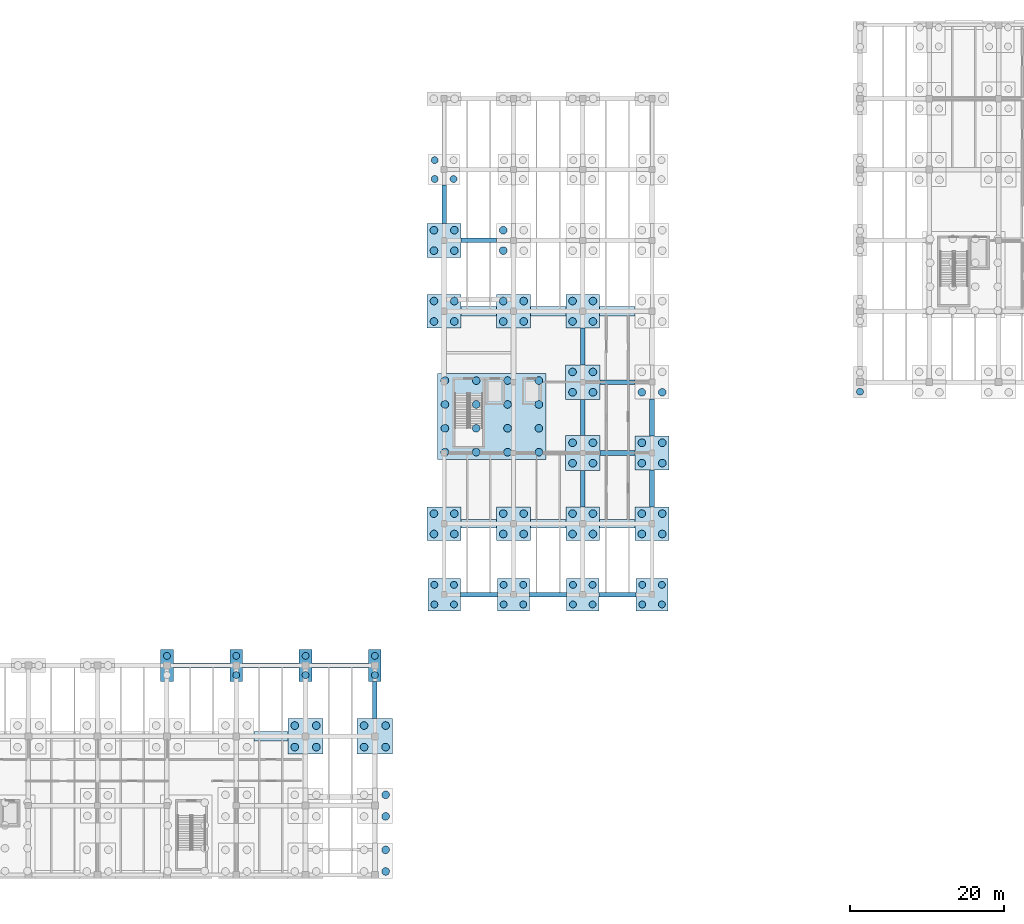
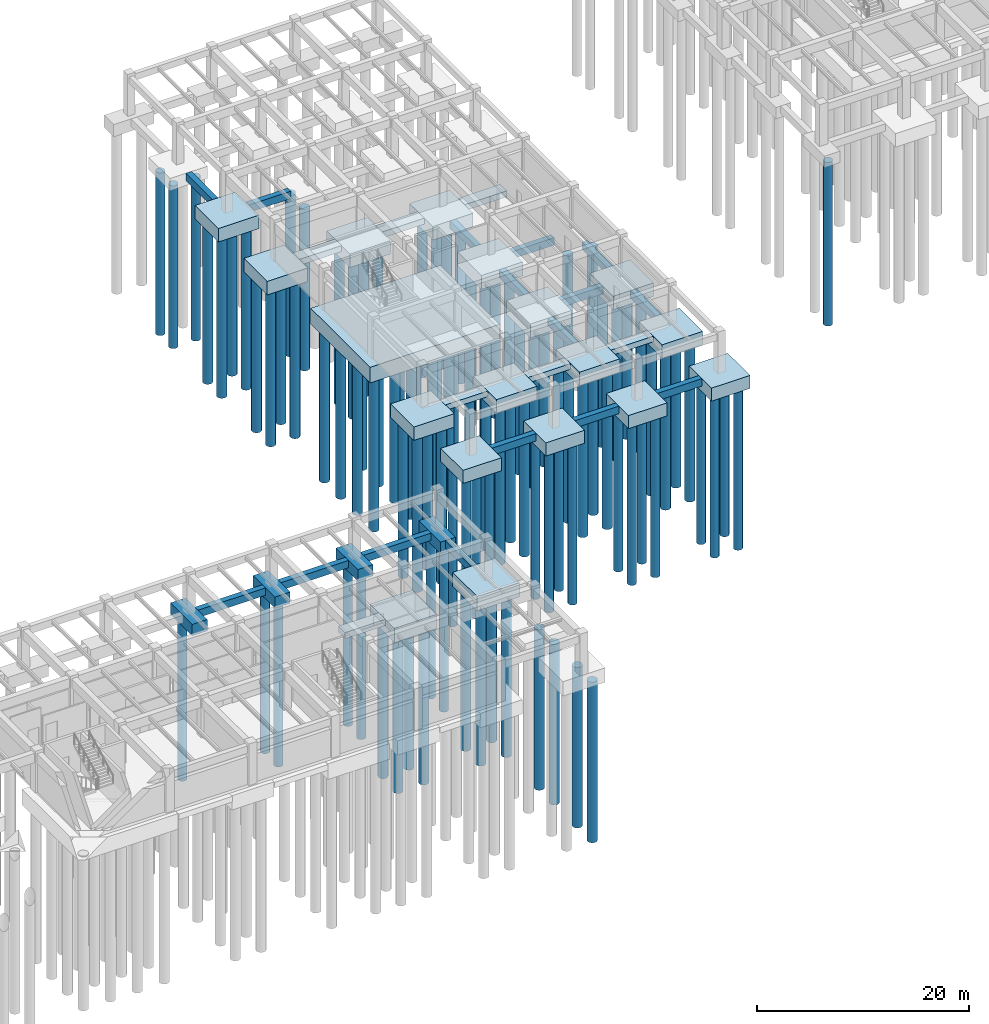
# One storey, part 2 of 16: 103 piles, 45 footings.
"""IFC4 building model written with IfcOpenShell, lengths in metres."""

from ifc_helpers import new_model, si_unit, direction, frame, origin, origin_2d, place, context, subcontext, project, spatial, rectangle, circle, extrude, material, material_profile, profile_set, type_object, element, save


model = new_model("IFC4")

# Units and contexts
model_context = context("Model", 3, precision=1e-05, world=origin(), true_north=direction((0.0, 1.0)))
body_context = subcontext(model_context, "Body", "Model", "MODEL_VIEW")
ifc_project = project(units=[si_unit("LENGTHUNIT", "METRE"), si_unit("AREAUNIT", "SQUARE_METRE"), si_unit("VOLUMEUNIT", "CUBIC_METRE"), si_unit("PLANEANGLEUNIT", "RADIAN"), si_unit("MASSUNIT", "GRAM", prefix="KILO")], contexts=[model_context])

# Site, building, storey
site_placement = place(None, origin())
site = spatial("IfcSite", under=ifc_project, at=site_placement, CompositionType="ELEMENT")
building_placement = place(site_placement, origin())
building = spatial("IfcBuilding", under=site, at=building_placement, Name="Bozkorgan Art Gallery", CompositionType="ELEMENT")
storey_placement = place(building_placement, frame((0.0, 0.0, -4.800048828125)))
storey = spatial("IfcBuildingStorey", under=building, at=storey_placement, Name="B1", CompositionType="ELEMENT", Elevation=-4.800048828125)

# Footings
ifc_material = material(Name="Concrete C30/37", Category="concrete")
ifc_material_profile_1 = material_profile(ifc_material, rectangle(XDim=0.60009765625, YDim=0.85009765625, at=origin_2d()), Name="FND 600x850")
ifc_profile_set_1 = profile_set([ifc_material_profile_1], Name="Concrete C30/37")
footing_type_1 = type_object("IfcFootingType", Name="FOOTING-FB-70", PredefinedType="FOOTING_BEAM", material=ifc_profile_set_1)
for number, where, z_axis, x_axis, name in (
    (1, (38.824951171875, 29.199951171875, -0.425048828125), (1.0, 0.0, 0.0), (0.0, 1.0, 0.0), "V1 foundation tie beam X (38-47, 29.2)"),
    (2, (47.824951171875, 29.199951171875, -0.425048828125), (1.0, 0.0, 0.0), (0.0, 1.0, 0.0), "V1 foundation tie beam X (47-56, 29.2)"),
    (3, (56.824951171875, 29.199951171875, -0.425048828125), (1.0, 0.0, 0.0), (0.0, 1.0, 0.0), "V1 foundation tie beam X (56-65, 29.2)"),
):
    element("IfcFooting", number, at=place(storey_placement, frame(where, z_axis=z_axis, x_axis=x_axis)), inside=storey, type_object=footing_type_1, Name=name, PredefinedType="FOOTING_BEAM", context=body_context, shape_type="SweptSolid", body=[
        extrude(rectangle(XDim=0.60009765625, YDim=0.85009765625, at=origin_2d()), origin(), (0.0, 0.0, 1.0), 7.35009765625),
    ])
footing_1_placement = place(storey_placement, frame((65.0, 22.300048828125, -0.425048828125), z_axis=(0.0, 1.0, 0.0), x_axis=(-1.0, 0.0, 0.0)))
element("IfcFooting", 4, at=footing_1_placement, inside=storey, type_object=footing_type_1, Name="V1 foundation tie beam Y (65, 20.0-29.2)", PredefinedType="FOOTING_BEAM", context=body_context, shape_type="SweptSolid", body=[
    extrude(rectangle(XDim=0.60009765625, YDim=0.85009765625, at=origin_2d()), origin(), (0.0, 0.0, 1.0), 4.849853515625),
])
for number, where, z_axis, x_axis, name in (
    (5, (76.10009765625, 38.39990234375, -0.425048828125), (1.0, 0.0, 0.0), (0.0, 1.0, 0.0), "V4 foundation tie beam X (74-83, 38.4)"),
    (6, (85.10009765625, 38.39990234375, -0.425048828125), (1.0, 0.0, 0.0), (0.0, 1.0, 0.0), "V4 foundation tie beam X (83-92, 38.4)"),
    (7, (94.10009765625, 38.39990234375, -0.425048828125), (1.0, 0.0, 0.0), (0.0, 1.0, 0.0), "V4 foundation tie beam X (92-101, 38.4)"),
):
    element("IfcFooting", number, at=place(storey_placement, frame(where, z_axis=z_axis, x_axis=x_axis)), inside=storey, type_object=footing_type_1, Name=name, PredefinedType="FOOTING_BEAM", context=body_context, shape_type="SweptSolid", body=[
        extrude(rectangle(XDim=0.60009765625, YDim=0.85009765625, at=origin_2d()), origin(), (0.0, 0.0, 1.0), 4.7998046875),
    ])
for number, where, z_axis, x_axis, name in (
    (8, (94.25, 56.800048828125, -0.925048828125), (1.0, 0.0, 0.0), (0.0, 1.0, 0.0), "V4 foundation tie beam X (92-101, 56.8)"),
    (9, (94.25, 66.0, -0.925048828125), (1.0, 0.0, 0.0), (0.0, 1.0, 0.0), "V4 foundation tie beam X (92-101, 66.0)"),
):
    element("IfcFooting", number, at=place(storey_placement, frame(where, z_axis=z_axis, x_axis=x_axis)), inside=storey, type_object=footing_type_1, Name=name, PredefinedType="FOOTING_BEAM", context=body_context, shape_type="SweptSolid", body=[
        extrude(rectangle(XDim=0.60009765625, YDim=0.85009765625, at=origin_2d()), origin(), (0.0, 0.0, 1.0), 4.550048828125),
    ])
footing_2_placement = place(storey_placement, frame((76.199951171875, 84.39990234375, -0.425048828125), z_axis=(1.0, 0.0, 0.0), x_axis=(0.0, 1.0, 0.0)))
element("IfcFooting", 10, at=footing_2_placement, inside=storey, type_object=footing_type_1, Name="V4 foundation tie beam X (74-83, 84.4)", PredefinedType="FOOTING_BEAM", context=body_context, shape_type="SweptSolid", body=[
    extrude(rectangle(XDim=0.60009765625, YDim=0.85009765625, at=origin_2d()), origin(), (0.0, 0.0, 1.0), 4.60009765625),
])
footing_3_placement = place(storey_placement, frame((74.0, 86.60009765625, -0.425048828125), z_axis=(0.0, 1.0, 0.0), x_axis=(-1.0, 0.0, 0.0)))
element("IfcFooting", 11, at=footing_3_placement, inside=storey, type_object=footing_type_1, Name="V4 foundation tie beam Y (74, 84.4-93.6)", PredefinedType="FOOTING_BEAM", context=body_context, shape_type="SweptSolid", body=[
    extrude(rectangle(XDim=0.60009765625, YDim=0.85009765625, at=origin_2d()), origin(), (0.0, 0.0, 1.0), 4.974853515625),
])
footing_4_placement = place(storey_placement, frame((92.0, 49.800048828125, -0.925048828125), z_axis=(0.0, 1.0, 0.0), x_axis=(-1.0, 0.0, 0.0)))
element("IfcFooting", 12, at=footing_4_placement, inside=storey, type_object=footing_type_1, Name="V4 foundation tie beam Y (92, 47.6-56.8)", PredefinedType="FOOTING_BEAM", context=body_context, shape_type="SweptSolid", body=[
    extrude(rectangle(XDim=0.60009765625, YDim=0.85009765625, at=origin_2d()), origin(), (0.0, 0.0, 1.0), 4.75),
])
footing_5_placement = place(storey_placement, frame((92.0, 59.050048828125, -0.925048828125), z_axis=(0.0, 1.0, 0.0), x_axis=(-1.0, 0.0, 0.0)))
element("IfcFooting", 13, at=footing_5_placement, inside=storey, type_object=footing_type_1, Name="V4 foundation tie beam Y (92, 56.8-66.0)", PredefinedType="FOOTING_BEAM", context=body_context, shape_type="SweptSolid", body=[
    extrude(rectangle(XDim=0.60009765625, YDim=0.85009765625, at=origin_2d()), origin(), (0.0, 0.0, 1.0), 4.699951171875),
])
footing_6_placement = place(storey_placement, frame((92.0, 68.25, -0.925048828125), z_axis=(0.0, 1.0, 0.0), x_axis=(-1.0, 0.0, 0.0)))
element("IfcFooting", 14, at=footing_6_placement, inside=storey, type_object=footing_type_1, Name="V4 foundation tie beam Y (92, 66.0-75.2)", PredefinedType="FOOTING_BEAM", context=body_context, shape_type="SweptSolid", body=[
    extrude(rectangle(XDim=0.60009765625, YDim=0.85009765625, at=origin_2d()), origin(), (0.0, 0.0, 1.0), 4.75),
])
for number, where, z_axis, x_axis, name in (
    (15, (101.0, 49.800048828125, -0.925048828125), (0.0, 1.0, 0.0), (-1.0, 0.0, 0.0), "V4 foundation tie beam Y (101, 47.6-56.8)"),
    (16, (101.0, 59.0, -0.925048828125), (0.0, 1.0, 0.0), (-1.0, 0.0, 0.0), "V4 foundation tie beam Y (101, 56.8-66.0)"),
):
    element("IfcFooting", number, at=place(storey_placement, frame(where, z_axis=z_axis, x_axis=x_axis)), inside=storey, type_object=footing_type_1, Name=name, PredefinedType="FOOTING_BEAM", context=body_context, shape_type="SweptSolid", body=[
        extrude(rectangle(XDim=0.60009765625, YDim=0.85009765625, at=origin_2d()), origin(), (0.0, 0.0, 1.0), 4.800048828125),
    ])
footing_type_2 = type_object("IfcFootingType", Name="FOOTING-PC-17", PredefinedType="PILE_CAP", material=ifc_material)
for number, where, z_axis, x_axis, name in (
    (17, (74.0, 38.39990234375, -1.5), (0.0, 0.0, 1.0), (1.0, 0.0, 0.0), "V4 pile cap (74.0, 38.4)"),
    (18, (83.0, 38.39990234375, -1.5), (0.0, 0.0, 1.0), (1.0, 0.0, 0.0), "V4 pile cap (83.0, 38.4)"),
    (19, (92.0, 38.39990234375, -1.5), (0.0, 0.0, 1.0), (1.0, 0.0, 0.0), "V4 pile cap (92.0, 38.4)"),
    (20, (101.0, 38.39990234375, -1.5), (0.0, 0.0, 1.0), (1.0, 0.0, 0.0), "V4 pile cap (101.0, 38.4)"),
):
    element("IfcFooting", number, at=place(storey_placement, frame(where, z_axis=z_axis, x_axis=x_axis)), inside=storey, type_object=footing_type_2, Name=name, PredefinedType="PILE_CAP", context=body_context, shape_type="SweptSolid", body=[
        extrude(rectangle(XDim=4.199951171875, YDim=4.199951171875, at=origin_2d()), origin(), (0.0, 0.0, 1.0), 1.5),
    ])
footing_type_3 = type_object("IfcFootingType", Name="FOOTING-PC-35", PredefinedType="PILE_CAP", material=ifc_material)
for number, where, z_axis, x_axis, name in (
    (21, (38.0, 29.199951171875, -1.2998046875), (0.0, 0.0, 1.0), (1.0, 0.0, 0.0), "V1 pile cap (38.0, 29.2)"),
    (22, (47.0, 29.199951171875, -1.2998046875), (0.0, 0.0, 1.0), (1.0, 0.0, 0.0), "V1 pile cap (47.0, 29.2)"),
    (23, (56.0, 29.199951171875, -1.2998046875), (0.0, 0.0, 1.0), (1.0, 0.0, 0.0), "V1 pile cap (56.0, 29.2)"),
    (24, (65.0, 29.199951171875, -1.2998046875), (0.0, 0.0, 1.0), (1.0, 0.0, 0.0), "V1 pile cap (65.0, 29.2)"),
):
    element("IfcFooting", number, at=place(storey_placement, frame(where, z_axis=z_axis, x_axis=x_axis)), inside=storey, type_object=footing_type_3, Name=name, PredefinedType="PILE_CAP", context=body_context, shape_type="SweptSolid", body=[
        extrude(rectangle(XDim=1.64990234375, YDim=4.10009765625, at=origin_2d()), origin(), (0.0, 0.0, 1.0), 1.300048828125),
    ])
footing_type_4 = type_object("IfcFootingType", Name="FOOTING-PC-54", PredefinedType="PILE_CAP", material=ifc_material)
for number, where, z_axis, x_axis, name in (
    (25, (92.0, 56.800048828125, -2.10009765625), (0.0, 0.0, 1.0), (1.0, 0.0, 0.0), "V4 pile cap (92.0, 56.8)"),
    (26, (92.0, 66.0, -2.10009765625), (0.0, 0.0, 1.0), (1.0, 0.0, 0.0), "V4 pile cap (92.0, 66.0)"),
):
    element("IfcFooting", number, at=place(storey_placement, frame(where, z_axis=z_axis, x_axis=x_axis)), inside=storey, type_object=footing_type_4, Name=name, PredefinedType="PILE_CAP", context=body_context, shape_type="SweptSolid", body=[
        extrude(rectangle(XDim=4.5, YDim=4.5, at=origin_2d()), origin(), (0.0, 0.0, 1.0), 1.60009765625),
    ])
footing_type_5 = type_object("IfcFootingType", Name="FOOTING-PC-76", PredefinedType="PILE_CAP", material=ifc_material)
for number, where, z_axis, x_axis, name in (
    (27, (74.0, 47.60009765625, -2.0498046875), (0.0, 0.0, 1.0), (1.0, 0.0, 0.0), "V4 pile cap (74.0, 47.6)"),
    (28, (74.0, 75.199951171875, -2.0498046875), (0.0, 0.0, 1.0), (1.0, 0.0, 0.0), "V4 pile cap (74.0, 75.2)"),
    (29, (74.0, 84.39990234375, -1.5498046875), (0.0, 0.0, 1.0), (1.0, 0.0, 0.0), "V4 pile cap (74.0, 84.4)"),
    (30, (83.0, 47.60009765625, -2.0498046875), (0.0, 0.0, 1.0), (1.0, 0.0, 0.0), "V4 pile cap (83.0, 47.6)"),
    (31, (83.0, 75.199951171875, -2.0498046875), (0.0, 0.0, 1.0), (1.0, 0.0, 0.0), "V4 pile cap (83.0, 75.2)"),
    (32, (92.0, 47.60009765625, -2.0498046875), (0.0, 0.0, 1.0), (1.0, 0.0, 0.0), "V4 pile cap (92.0, 47.6)"),
    (33, (92.0, 75.199951171875, -2.0498046875), (0.0, 0.0, 1.0), (1.0, 0.0, 0.0), "V4 pile cap (92.0, 75.2)"),
    (34, (101.0, 47.60009765625, -2.0498046875), (0.0, 0.0, 1.0), (1.0, 0.0, 0.0), "V4 pile cap (101.0, 47.6)"),
    (35, (101.0, 56.800048828125, -2.0498046875), (0.0, 0.0, 1.0), (1.0, 0.0, 0.0), "V4 pile cap (101.0, 56.8)"),
):
    element("IfcFooting", number, at=place(storey_placement, frame(where, z_axis=z_axis, x_axis=x_axis)), inside=storey, type_object=footing_type_5, Name=name, PredefinedType="PILE_CAP", context=body_context, shape_type="SweptSolid", body=[
        extrude(rectangle(XDim=4.39990234375, YDim=4.39990234375, at=origin_2d()), origin(), (0.0, 0.0, 1.0), 1.550048828125),
    ])
footing_type_6 = type_object("IfcFootingType", Name="FOOTING-PC-78", PredefinedType="PILE_CAP", material=ifc_material)
footing_7_placement = place(storey_placement, frame((80.199951171875, 61.550048828125, -2.2998046875), z_axis=(0.0, 0.0, 1.0), x_axis=(1.0, 0.0, 0.0)))
element("IfcFooting", 36, at=footing_7_placement, inside=storey, type_object=footing_type_6, Name="CORE2 combined core pile cap", PredefinedType="PILE_CAP", context=body_context, shape_type="SweptSolid", body=[
    extrude(rectangle(XDim=14.10009765625, YDim=11.199951171875, at=origin_2d()), origin(), (0.0, 0.0, 1.0), 1.800048828125),
])
footing_type_7 = type_object("IfcFootingType", Name="FOOTING-PC-85", PredefinedType="PILE_CAP", material=ifc_material)
for number, where, z_axis, x_axis, name in (
    (37, (56.0, 20.0, -2.14990234375), (0.0, 0.0, 1.0), (1.0, 0.0, 0.0), "V1 pile cap (56.0, 20.0)"),
    (38, (65.0, 20.0, -1.64990234375), (0.0, 0.0, 1.0), (1.0, 0.0, 0.0), "V1 pile cap (65.0, 20.0)"),
):
    element("IfcFooting", number, at=place(storey_placement, frame(where, z_axis=z_axis, x_axis=x_axis)), inside=storey, type_object=footing_type_7, Name=name, PredefinedType="PILE_CAP", context=body_context, shape_type="SweptSolid", body=[
        extrude(rectangle(XDim=4.60009765625, YDim=4.60009765625, at=origin_2d()), origin(), (0.0, 0.0, 1.0), 1.64990234375),
    ])
ifc_material_profile_2 = material_profile(ifc_material, rectangle(XDim=1.25, YDim=0.699951171875, at=origin_2d()), Name="FND 1250x700")
ifc_profile_set_2 = profile_set([ifc_material_profile_2], Name="Concrete C30/37")
footing_type_8 = type_object("IfcFootingType", Name="FOOTING-SF-14", PredefinedType="STRIP_FOOTING", material=ifc_profile_set_2)
footing_8_placement = place(storey_placement, frame((49.300048828125, 20.0, -0.824951171875), z_axis=(1.0, 0.0, 0.0), x_axis=(0.0, 1.0, 0.0)))
element("IfcFooting", 39, at=footing_8_placement, inside=storey, type_object=footing_type_8, Name="V1 B1 retaining wall strip footing 8", PredefinedType="STRIP_FOOTING", context=body_context, shape_type="SweptSolid", body=[
    extrude(rectangle(XDim=1.25, YDim=0.699951171875, at=origin_2d()), origin(), (0.0, 0.0, 1.0), 4.39990234375),
])
for number, where, z_axis, x_axis, name in (
    (40, (76.199951171875, 75.199951171875, -0.824951171875), (1.0, 0.0, 0.0), (0.0, 1.0, 0.0), "V4 B1 retaining wall strip footing 12"),
    (41, (85.199951171875, 75.199951171875, -0.824951171875), (1.0, 0.0, 0.0), (0.0, 1.0, 0.0), "V4 B1 retaining wall strip footing 13"),
    (42, (94.199951171875, 75.199951171875, -0.824951171875), (1.0, 0.0, 0.0), (0.0, 1.0, 0.0), "V4 B1 retaining wall strip footing 14"),
):
    element("IfcFooting", number, at=place(storey_placement, frame(where, z_axis=z_axis, x_axis=x_axis)), inside=storey, type_object=footing_type_8, Name=name, PredefinedType="STRIP_FOOTING", context=body_context, shape_type="SweptSolid", body=[
        extrude(rectangle(XDim=1.25, YDim=0.699951171875, at=origin_2d()), origin(), (0.0, 0.0, 1.0), 4.60009765625),
    ])
ifc_material_profile_3 = material_profile(ifc_material, rectangle(XDim=1.10009765625, YDim=0.64990234375, at=origin_2d()), Name="FND 1100x650")
ifc_profile_set_3 = profile_set([ifc_material_profile_3], Name="Concrete C30/37")
footing_type_9 = type_object("IfcFootingType", Name="FOOTING-SF-92", PredefinedType="STRIP_FOOTING", material=ifc_profile_set_3)
for number, where, z_axis, x_axis, name in (
    (43, (76.199951171875, 47.60009765625, -0.824951171875), (1.0, 0.0, 0.0), (0.0, 1.0, 0.0), "V4 B1 retaining wall strip footing 9"),
    (44, (85.199951171875, 47.60009765625, -0.824951171875), (1.0, 0.0, 0.0), (0.0, 1.0, 0.0), "V4 B1 retaining wall strip footing 10"),
    (45, (94.199951171875, 47.60009765625, -0.824951171875), (1.0, 0.0, 0.0), (0.0, 1.0, 0.0), "V4 B1 retaining wall strip footing 11"),
):
    element("IfcFooting", number, at=place(storey_placement, frame(where, z_axis=z_axis, x_axis=x_axis)), inside=storey, type_object=footing_type_9, Name=name, PredefinedType="STRIP_FOOTING", context=body_context, shape_type="SweptSolid", body=[
        extrude(rectangle(XDim=1.10009765625, YDim=0.64990234375, at=origin_2d()), origin(), (0.0, 0.0, 1.0), 4.60009765625),
    ])

# Piles
ifc_material_profile_4 = material_profile(ifc_material, circle(Radius=0.5, at=origin_2d()), Name="PILE D1000")
ifc_profile_set_4 = profile_set([ifc_material_profile_4], Name="Concrete C30/37")
pile_type_1 = type_object("IfcPileType", Name="PILE-P-36", PredefinedType="BORED", material=ifc_profile_set_4)
for number, where, z_axis, x_axis, name in (
    (46, (74.10009765625, 56.89990234375, -2.199951171875), (0.0, 0.0, -1.0), (1.0, 0.0, 0.0), "CORE2 bored pile 1"),
    (47, (74.10009765625, 60.0, -2.199951171875), (0.0, 0.0, -1.0), (1.0, 0.0, 0.0), "CORE2 bored pile 2"),
    (48, (74.10009765625, 63.10009765625, -2.199951171875), (0.0, 0.0, -1.0), (1.0, 0.0, 0.0), "CORE2 bored pile 3"),
    (49, (74.10009765625, 66.199951171875, -2.199951171875), (0.0, 0.0, -1.0), (1.0, 0.0, 0.0), "CORE2 bored pile 4"),
    (50, (78.166748046875, 56.89990234375, -2.199951171875), (0.0, 0.0, -1.0), (1.0, 0.0, 0.0), "CORE2 bored pile 5"),
    (51, (78.166748046875, 60.0, -2.199951171875), (0.0, 0.0, -1.0), (1.0, 0.0, 0.0), "CORE2 bored pile 6"),
    (52, (78.166748046875, 63.10009765625, -2.199951171875), (0.0, 0.0, -1.0), (1.0, 0.0, 0.0), "CORE2 bored pile 7"),
    (53, (78.166748046875, 66.199951171875, -2.199951171875), (0.0, 0.0, -1.0), (1.0, 0.0, 0.0), "CORE2 bored pile 8"),
    (54, (82.2333984375, 56.89990234375, -2.199951171875), (0.0, 0.0, -1.0), (1.0, 0.0, 0.0), "CORE2 bored pile 9"),
    (55, (82.2333984375, 60.0, -2.199951171875), (0.0, 0.0, -1.0), (1.0, 0.0, 0.0), "CORE2 bored pile 10"),
    (56, (82.2333984375, 63.10009765625, -2.199951171875), (0.0, 0.0, -1.0), (1.0, 0.0, 0.0), "CORE2 bored pile 11"),
    (57, (82.2333984375, 66.199951171875, -2.199951171875), (0.0, 0.0, -1.0), (1.0, 0.0, 0.0), "CORE2 bored pile 12"),
    (58, (86.300048828125, 56.89990234375, -2.199951171875), (0.0, 0.0, -1.0), (1.0, 0.0, 0.0), "CORE2 bored pile 13"),
    (59, (86.300048828125, 60.0, -2.199951171875), (0.0, 0.0, -1.0), (1.0, 0.0, 0.0), "CORE2 bored pile 14"),
    (60, (86.300048828125, 63.10009765625, -2.199951171875), (0.0, 0.0, -1.0), (1.0, 0.0, 0.0), "CORE2 bored pile 15"),
    (61, (86.300048828125, 66.199951171875, -2.199951171875), (0.0, 0.0, -1.0), (1.0, 0.0, 0.0), "CORE2 bored pile 16"),
):
    element("IfcPile", number, at=place(storey_placement, frame(where, z_axis=z_axis, x_axis=x_axis)), inside=storey, type_object=pile_type_1, Name=name, PredefinedType="BORED", context=body_context, shape_type="SweptSolid", body=[
        extrude(circle(Radius=0.5, at=origin_2d()), origin(), (0.0, 0.0, 1.0), 17.800048828125),
    ])
for number, where, z_axis, x_axis, name in (
    (62, (54.60009765625, 18.60009765625, -2.050048828125), (0.0, 0.0, -1.0), (1.0, 0.0, 0.0), "V1 pile (56.0, 20.0) #1"),
    (63, (57.39990234375, 18.60009765625, -2.050048828125), (0.0, 0.0, -1.0), (1.0, 0.0, 0.0), "V1 pile (56.0, 20.0) #2"),
    (64, (54.60009765625, 21.39990234375, -2.050048828125), (0.0, 0.0, -1.0), (1.0, 0.0, 0.0), "V1 pile (56.0, 20.0) #3"),
    (65, (57.39990234375, 21.39990234375, -2.050048828125), (0.0, 0.0, -1.0), (1.0, 0.0, 0.0), "V1 pile (56.0, 20.0) #4"),
):
    element("IfcPile", number, at=place(storey_placement, frame(where, z_axis=z_axis, x_axis=x_axis)), inside=storey, type_object=pile_type_1, Name=name, PredefinedType="BORED", context=body_context, shape_type="SweptSolid", body=[
        extrude(circle(Radius=0.5, at=origin_2d()), origin(), (0.0, 0.0, 1.0), 17.949951171875),
    ])
for number, where, z_axis, x_axis, name in (
    (66, (66.39990234375, 2.449951171875, -1.550048828125), (0.0, 0.0, -1.0), (1.0, 0.0, 0.0), "V1 pile (65.0, 2.0) #2"),
    (67, (66.39990234375, 5.25, -1.550048828125), (0.0, 0.0, -1.0), (1.0, 0.0, 0.0), "V1 pile (65.0, 2.0) #4"),
    (68, (66.39990234375, 9.60009765625, -1.550048828125), (0.0, 0.0, -1.0), (1.0, 0.0, 0.0), "V1 pile (65.0, 11.0) #2"),
    (69, (66.39990234375, 12.39990234375, -1.550048828125), (0.0, 0.0, -1.0), (1.0, 0.0, 0.0), "V1 pile (65.0, 11.0) #4"),
    (70, (63.60009765625, 18.60009765625, -1.550048828125), (0.0, 0.0, -1.0), (1.0, 0.0, 0.0), "V1 pile (65.0, 20.0) #1"),
    (71, (66.39990234375, 18.60009765625, -1.550048828125), (0.0, 0.0, -1.0), (1.0, 0.0, 0.0), "V1 pile (65.0, 20.0) #2"),
    (72, (63.60009765625, 21.39990234375, -1.550048828125), (0.0, 0.0, -1.0), (1.0, 0.0, 0.0), "V1 pile (65.0, 20.0) #3"),
    (73, (66.39990234375, 21.39990234375, -1.550048828125), (0.0, 0.0, -1.0), (1.0, 0.0, 0.0), "V1 pile (65.0, 20.0) #4"),
):
    element("IfcPile", number, at=place(storey_placement, frame(where, z_axis=z_axis, x_axis=x_axis)), inside=storey, type_object=pile_type_1, Name=name, PredefinedType="BORED", context=body_context, shape_type="SweptSolid", body=[
        extrude(circle(Radius=0.5, at=origin_2d()), origin(), (0.0, 0.0, 1.0), 18.449951171875),
    ])
for number, where, z_axis, x_axis, name in (
    (74, (72.675048828125, 46.27490234375, -1.949951171875), (0.0, 0.0, -1.0), (1.0, 0.0, 0.0), "V4 pile (74.0, 47.6) #1"),
    (75, (75.324951171875, 46.27490234375, -1.949951171875), (0.0, 0.0, -1.0), (1.0, 0.0, 0.0), "V4 pile (74.0, 47.6) #2"),
    (76, (72.675048828125, 48.925048828125, -1.949951171875), (0.0, 0.0, -1.0), (1.0, 0.0, 0.0), "V4 pile (74.0, 47.6) #3"),
    (77, (75.324951171875, 48.925048828125, -1.949951171875), (0.0, 0.0, -1.0), (1.0, 0.0, 0.0), "V4 pile (74.0, 47.6) #4"),
    (78, (72.675048828125, 73.875, -1.949951171875), (0.0, 0.0, -1.0), (1.0, 0.0, 0.0), "V4 pile (74.0, 75.2) #1"),
    (79, (75.324951171875, 73.875, -1.949951171875), (0.0, 0.0, -1.0), (1.0, 0.0, 0.0), "V4 pile (74.0, 75.2) #2"),
    (80, (72.675048828125, 76.52490234375, -1.949951171875), (0.0, 0.0, -1.0), (1.0, 0.0, 0.0), "V4 pile (74.0, 75.2) #3"),
    (81, (75.324951171875, 76.52490234375, -1.949951171875), (0.0, 0.0, -1.0), (1.0, 0.0, 0.0), "V4 pile (74.0, 75.2) #4"),
):
    element("IfcPile", number, at=place(storey_placement, frame(where, z_axis=z_axis, x_axis=x_axis)), inside=storey, type_object=pile_type_1, Name=name, PredefinedType="BORED", context=body_context, shape_type="SweptSolid", body=[
        extrude(circle(Radius=0.5, at=origin_2d()), origin(), (0.0, 0.0, 1.0), 18.050048828125),
    ])
for number, where, z_axis, x_axis, name in (
    (82, (72.675048828125, 83.074951171875, -1.449951171875), (0.0, 0.0, -1.0), (1.0, 0.0, 0.0), "V4 pile (74.0, 84.4) #1"),
    (83, (75.324951171875, 83.074951171875, -1.449951171875), (0.0, 0.0, -1.0), (1.0, 0.0, 0.0), "V4 pile (74.0, 84.4) #2"),
    (84, (72.675048828125, 85.72509765625, -1.449951171875), (0.0, 0.0, -1.0), (1.0, 0.0, 0.0), "V4 pile (74.0, 84.4) #3"),
    (85, (75.324951171875, 85.72509765625, -1.449951171875), (0.0, 0.0, -1.0), (1.0, 0.0, 0.0), "V4 pile (74.0, 84.4) #4"),
):
    element("IfcPile", number, at=place(storey_placement, frame(where, z_axis=z_axis, x_axis=x_axis)), inside=storey, type_object=pile_type_1, Name=name, PredefinedType="BORED", context=body_context, shape_type="SweptSolid", body=[
        extrude(circle(Radius=0.5, at=origin_2d()), origin(), (0.0, 0.0, 1.0), 18.550048828125),
    ])
for number, where, z_axis, x_axis, name in (
    (86, (81.675048828125, 46.27490234375, -1.949951171875), (0.0, 0.0, -1.0), (1.0, 0.0, 0.0), "V4 pile (83.0, 47.6) #1"),
    (87, (84.324951171875, 46.27490234375, -1.949951171875), (0.0, 0.0, -1.0), (1.0, 0.0, 0.0), "V4 pile (83.0, 47.6) #2"),
    (88, (81.675048828125, 48.925048828125, -1.949951171875), (0.0, 0.0, -1.0), (1.0, 0.0, 0.0), "V4 pile (83.0, 47.6) #3"),
    (89, (84.324951171875, 48.925048828125, -1.949951171875), (0.0, 0.0, -1.0), (1.0, 0.0, 0.0), "V4 pile (83.0, 47.6) #4"),
    (90, (81.675048828125, 73.875, -1.949951171875), (0.0, 0.0, -1.0), (1.0, 0.0, 0.0), "V4 pile (83.0, 75.2) #1"),
    (91, (84.324951171875, 73.875, -1.949951171875), (0.0, 0.0, -1.0), (1.0, 0.0, 0.0), "V4 pile (83.0, 75.2) #2"),
    (92, (81.675048828125, 76.52490234375, -1.949951171875), (0.0, 0.0, -1.0), (1.0, 0.0, 0.0), "V4 pile (83.0, 75.2) #3"),
    (93, (84.324951171875, 76.52490234375, -1.949951171875), (0.0, 0.0, -1.0), (1.0, 0.0, 0.0), "V4 pile (83.0, 75.2) #4"),
):
    element("IfcPile", number, at=place(storey_placement, frame(where, z_axis=z_axis, x_axis=x_axis)), inside=storey, type_object=pile_type_1, Name=name, PredefinedType="BORED", context=body_context, shape_type="SweptSolid", body=[
        extrude(circle(Radius=0.5, at=origin_2d()), origin(), (0.0, 0.0, 1.0), 18.050048828125),
    ])
for number, where, z_axis, x_axis, name in (
    (94, (81.675048828125, 83.074951171875, -1.449951171875), (0.0, 0.0, -1.0), (1.0, 0.0, 0.0), "V4 pile (83.0, 84.4) #1"),
    (95, (81.675048828125, 85.72509765625, -1.449951171875), (0.0, 0.0, -1.0), (1.0, 0.0, 0.0), "V4 pile (83.0, 84.4) #3"),
):
    element("IfcPile", number, at=place(storey_placement, frame(where, z_axis=z_axis, x_axis=x_axis)), inside=storey, type_object=pile_type_1, Name=name, PredefinedType="BORED", context=body_context, shape_type="SweptSolid", body=[
        extrude(circle(Radius=0.5, at=origin_2d()), origin(), (0.0, 0.0, 1.0), 18.550048828125),
    ])
for number, where, z_axis, x_axis, name in (
    (96, (90.675048828125, 46.27490234375, -1.949951171875), (0.0, 0.0, -1.0), (1.0, 0.0, 0.0), "V4 pile (92.0, 47.6) #1"),
    (97, (93.324951171875, 46.27490234375, -1.949951171875), (0.0, 0.0, -1.0), (1.0, 0.0, 0.0), "V4 pile (92.0, 47.6) #2"),
    (98, (90.675048828125, 48.925048828125, -1.949951171875), (0.0, 0.0, -1.0), (1.0, 0.0, 0.0), "V4 pile (92.0, 47.6) #3"),
    (99, (93.324951171875, 48.925048828125, -1.949951171875), (0.0, 0.0, -1.0), (1.0, 0.0, 0.0), "V4 pile (92.0, 47.6) #4"),
):
    element("IfcPile", number, at=place(storey_placement, frame(where, z_axis=z_axis, x_axis=x_axis)), inside=storey, type_object=pile_type_1, Name=name, PredefinedType="BORED", context=body_context, shape_type="SweptSolid", body=[
        extrude(circle(Radius=0.5, at=origin_2d()), origin(), (0.0, 0.0, 1.0), 18.050048828125),
    ])
for number, where, z_axis, x_axis, name in (
    (100, (90.675048828125, 55.47509765625, -2.0), (0.0, 0.0, -1.0), (1.0, 0.0, 0.0), "V4 pile (92.0, 56.8) #1"),
    (101, (93.324951171875, 55.47509765625, -2.0), (0.0, 0.0, -1.0), (1.0, 0.0, 0.0), "V4 pile (92.0, 56.8) #2"),
    (102, (90.675048828125, 58.125, -2.0), (0.0, 0.0, -1.0), (1.0, 0.0, 0.0), "V4 pile (92.0, 56.8) #3"),
    (103, (93.324951171875, 58.125, -2.0), (0.0, 0.0, -1.0), (1.0, 0.0, 0.0), "V4 pile (92.0, 56.8) #4"),
    (104, (90.675048828125, 64.675048828125, -2.0), (0.0, 0.0, -1.0), (1.0, 0.0, 0.0), "V4 pile (92.0, 66.0) #1"),
    (105, (93.324951171875, 64.675048828125, -2.0), (0.0, 0.0, -1.0), (1.0, 0.0, 0.0), "V4 pile (92.0, 66.0) #2"),
    (106, (90.675048828125, 67.324951171875, -2.0), (0.0, 0.0, -1.0), (1.0, 0.0, 0.0), "V4 pile (92.0, 66.0) #3"),
    (107, (93.324951171875, 67.324951171875, -2.0), (0.0, 0.0, -1.0), (1.0, 0.0, 0.0), "V4 pile (92.0, 66.0) #4"),
):
    element("IfcPile", number, at=place(storey_placement, frame(where, z_axis=z_axis, x_axis=x_axis)), inside=storey, type_object=pile_type_1, Name=name, PredefinedType="BORED", context=body_context, shape_type="SweptSolid", body=[
        extrude(circle(Radius=0.5, at=origin_2d()), origin(), (0.0, 0.0, 1.0), 18.0),
    ])
for number, where, z_axis, x_axis, name in (
    (108, (90.675048828125, 73.875, -1.949951171875), (0.0, 0.0, -1.0), (1.0, 0.0, 0.0), "V4 pile (92.0, 75.2) #1"),
    (109, (93.324951171875, 73.875, -1.949951171875), (0.0, 0.0, -1.0), (1.0, 0.0, 0.0), "V4 pile (92.0, 75.2) #2"),
    (110, (90.675048828125, 76.52490234375, -1.949951171875), (0.0, 0.0, -1.0), (1.0, 0.0, 0.0), "V4 pile (92.0, 75.2) #3"),
    (111, (93.324951171875, 76.52490234375, -1.949951171875), (0.0, 0.0, -1.0), (1.0, 0.0, 0.0), "V4 pile (92.0, 75.2) #4"),
    (112, (99.675048828125, 46.27490234375, -1.949951171875), (0.0, 0.0, -1.0), (1.0, 0.0, 0.0), "V4 pile (101.0, 47.6) #1"),
    (113, (102.324951171875, 46.27490234375, -1.949951171875), (0.0, 0.0, -1.0), (1.0, 0.0, 0.0), "V4 pile (101.0, 47.6) #2"),
    (114, (99.675048828125, 48.925048828125, -1.949951171875), (0.0, 0.0, -1.0), (1.0, 0.0, 0.0), "V4 pile (101.0, 47.6) #3"),
    (115, (102.324951171875, 48.925048828125, -1.949951171875), (0.0, 0.0, -1.0), (1.0, 0.0, 0.0), "V4 pile (101.0, 47.6) #4"),
    (116, (99.675048828125, 55.47509765625, -1.949951171875), (0.0, 0.0, -1.0), (1.0, 0.0, 0.0), "V4 pile (101.0, 56.8) #1"),
    (117, (102.324951171875, 55.47509765625, -1.949951171875), (0.0, 0.0, -1.0), (1.0, 0.0, 0.0), "V4 pile (101.0, 56.8) #2"),
    (118, (99.675048828125, 58.125, -1.949951171875), (0.0, 0.0, -1.0), (1.0, 0.0, 0.0), "V4 pile (101.0, 56.8) #3"),
    (119, (102.324951171875, 58.125, -1.949951171875), (0.0, 0.0, -1.0), (1.0, 0.0, 0.0), "V4 pile (101.0, 56.8) #4"),
    (120, (99.675048828125, 64.675048828125, -1.949951171875), (0.0, 0.0, -1.0), (1.0, 0.0, 0.0), "V4 pile (101.0, 66.0) #1"),
    (121, (102.324951171875, 64.675048828125, -1.949951171875), (0.0, 0.0, -1.0), (1.0, 0.0, 0.0), "V4 pile (101.0, 66.0) #2"),
):
    element("IfcPile", number, at=place(storey_placement, frame(where, z_axis=z_axis, x_axis=x_axis)), inside=storey, type_object=pile_type_1, Name=name, PredefinedType="BORED", context=body_context, shape_type="SweptSolid", body=[
        extrude(circle(Radius=0.5, at=origin_2d()), origin(), (0.0, 0.0, 1.0), 18.050048828125),
    ])
ifc_material_profile_5 = material_profile(ifc_material, circle(Radius=0.449951171875, at=origin_2d()), Name="PILE D900")
ifc_profile_set_5 = profile_set([ifc_material_profile_5], Name="Concrete C30/37")
pile_type_2 = type_object("IfcPileType", Name="PILE-P-65", PredefinedType="BORED", material=ifc_profile_set_5)
for number, where, z_axis, x_axis, name in (
    (122, (38.0, 30.449951171875, -1.199951171875), (0.0, 0.0, -1.0), (1.0, 0.0, 0.0), "V1 pile (38.0, 29.2) #2"),
    (123, (47.0, 27.949951171875, -1.199951171875), (0.0, 0.0, -1.0), (1.0, 0.0, 0.0), "V1 pile (47.0, 29.2) #1"),
    (124, (47.0, 30.449951171875, -1.199951171875), (0.0, 0.0, -1.0), (1.0, 0.0, 0.0), "V1 pile (47.0, 29.2) #2"),
    (125, (56.0, 27.949951171875, -1.199951171875), (0.0, 0.0, -1.0), (1.0, 0.0, 0.0), "V1 pile (56.0, 29.2) #1"),
    (126, (56.0, 30.449951171875, -1.199951171875), (0.0, 0.0, -1.0), (1.0, 0.0, 0.0), "V1 pile (56.0, 29.2) #2"),
    (127, (65.0, 27.949951171875, -1.199951171875), (0.0, 0.0, -1.0), (1.0, 0.0, 0.0), "V1 pile (65.0, 29.2) #1"),
    (128, (65.0, 30.449951171875, -1.199951171875), (0.0, 0.0, -1.0), (1.0, 0.0, 0.0), "V1 pile (65.0, 29.2) #2"),
):
    element("IfcPile", number, at=place(storey_placement, frame(where, z_axis=z_axis, x_axis=x_axis)), inside=storey, type_object=pile_type_2, Name=name, PredefinedType="BORED", context=body_context, shape_type="SweptSolid", body=[
        extrude(circle(Radius=0.449951171875, at=origin_2d()), origin(), (0.0, 0.0, 1.0), 18.800048828125),
    ])
for number, where, z_axis, x_axis, name in (
    (129, (72.72509765625, 37.125, -1.39990234375), (0.0, 0.0, -1.0), (1.0, 0.0, 0.0), "V4 pile (74.0, 38.4) #1"),
    (130, (75.27490234375, 37.125, -1.39990234375), (0.0, 0.0, -1.0), (1.0, 0.0, 0.0), "V4 pile (74.0, 38.4) #2"),
    (131, (72.72509765625, 39.675048828125, -1.39990234375), (0.0, 0.0, -1.0), (1.0, 0.0, 0.0), "V4 pile (74.0, 38.4) #3"),
    (132, (75.27490234375, 39.675048828125, -1.39990234375), (0.0, 0.0, -1.0), (1.0, 0.0, 0.0), "V4 pile (74.0, 38.4) #4"),
):
    element("IfcPile", number, at=place(storey_placement, frame(where, z_axis=z_axis, x_axis=x_axis)), inside=storey, type_object=pile_type_2, Name=name, PredefinedType="BORED", context=body_context, shape_type="SweptSolid", body=[
        extrude(circle(Radius=0.449951171875, at=origin_2d()), origin(), (0.0, 0.0, 1.0), 18.60009765625),
    ])
for number, where, z_axis, x_axis, name in (
    (133, (72.77490234375, 92.375, -1.300048828125), (0.0, 0.0, -1.0), (1.0, 0.0, 0.0), "V4 pile (74.0, 93.6) #1"),
    (134, (75.22509765625, 92.375, -1.300048828125), (0.0, 0.0, -1.0), (1.0, 0.0, 0.0), "V4 pile (74.0, 93.6) #2"),
    (135, (72.77490234375, 94.824951171875, -1.300048828125), (0.0, 0.0, -1.0), (1.0, 0.0, 0.0), "V4 pile (74.0, 93.6) #3"),
):
    element("IfcPile", number, at=place(storey_placement, frame(where, z_axis=z_axis, x_axis=x_axis)), inside=storey, type_object=pile_type_2, Name=name, PredefinedType="BORED", context=body_context, shape_type="SweptSolid", body=[
        extrude(circle(Radius=0.449951171875, at=origin_2d()), origin(), (0.0, 0.0, 1.0), 18.699951171875),
    ])
for number, where, z_axis, x_axis, name in (
    (136, (81.72509765625, 37.125, -1.39990234375), (0.0, 0.0, -1.0), (1.0, 0.0, 0.0), "V4 pile (83.0, 38.4) #1"),
    (137, (84.27490234375, 37.125, -1.39990234375), (0.0, 0.0, -1.0), (1.0, 0.0, 0.0), "V4 pile (83.0, 38.4) #2"),
    (138, (81.72509765625, 39.675048828125, -1.39990234375), (0.0, 0.0, -1.0), (1.0, 0.0, 0.0), "V4 pile (83.0, 38.4) #3"),
    (139, (84.27490234375, 39.675048828125, -1.39990234375), (0.0, 0.0, -1.0), (1.0, 0.0, 0.0), "V4 pile (83.0, 38.4) #4"),
    (140, (90.72509765625, 37.125, -1.39990234375), (0.0, 0.0, -1.0), (1.0, 0.0, 0.0), "V4 pile (92.0, 38.4) #1"),
    (141, (93.27490234375, 37.125, -1.39990234375), (0.0, 0.0, -1.0), (1.0, 0.0, 0.0), "V4 pile (92.0, 38.4) #2"),
    (142, (90.72509765625, 39.675048828125, -1.39990234375), (0.0, 0.0, -1.0), (1.0, 0.0, 0.0), "V4 pile (92.0, 38.4) #3"),
    (143, (93.27490234375, 39.675048828125, -1.39990234375), (0.0, 0.0, -1.0), (1.0, 0.0, 0.0), "V4 pile (92.0, 38.4) #4"),
    (144, (99.72509765625, 37.125, -1.39990234375), (0.0, 0.0, -1.0), (1.0, 0.0, 0.0), "V4 pile (101.0, 38.4) #1"),
    (145, (102.27490234375, 37.125, -1.39990234375), (0.0, 0.0, -1.0), (1.0, 0.0, 0.0), "V4 pile (101.0, 38.4) #2"),
    (146, (99.72509765625, 39.675048828125, -1.39990234375), (0.0, 0.0, -1.0), (1.0, 0.0, 0.0), "V4 pile (101.0, 38.4) #3"),
    (147, (102.27490234375, 39.675048828125, -1.39990234375), (0.0, 0.0, -1.0), (1.0, 0.0, 0.0), "V4 pile (101.0, 38.4) #4"),
):
    element("IfcPile", number, at=place(storey_placement, frame(where, z_axis=z_axis, x_axis=x_axis)), inside=storey, type_object=pile_type_2, Name=name, PredefinedType="BORED", context=body_context, shape_type="SweptSolid", body=[
        extrude(circle(Radius=0.449951171875, at=origin_2d()), origin(), (0.0, 0.0, 1.0), 18.60009765625),
    ])
pile_placement = place(storey_placement, frame((128.0, 64.75, -1.199951171875), z_axis=(0.0, 0.0, -1.0), x_axis=(1.0, 0.0, 0.0)))
element("IfcPile", 148, at=pile_placement, inside=storey, type_object=pile_type_2, Name="V5 pile (128.0, 66.0) #1", PredefinedType="BORED", context=body_context, shape_type="SweptSolid", body=[
    extrude(circle(Radius=0.449951171875, at=origin_2d()), origin(), (0.0, 0.0, 1.0), 18.800048828125),
])

save(model, "model.ifc")
